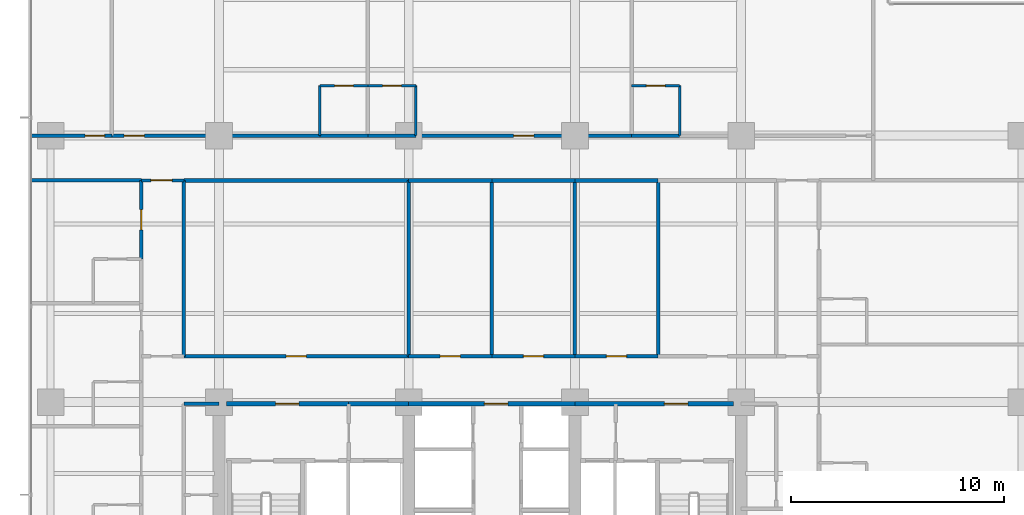
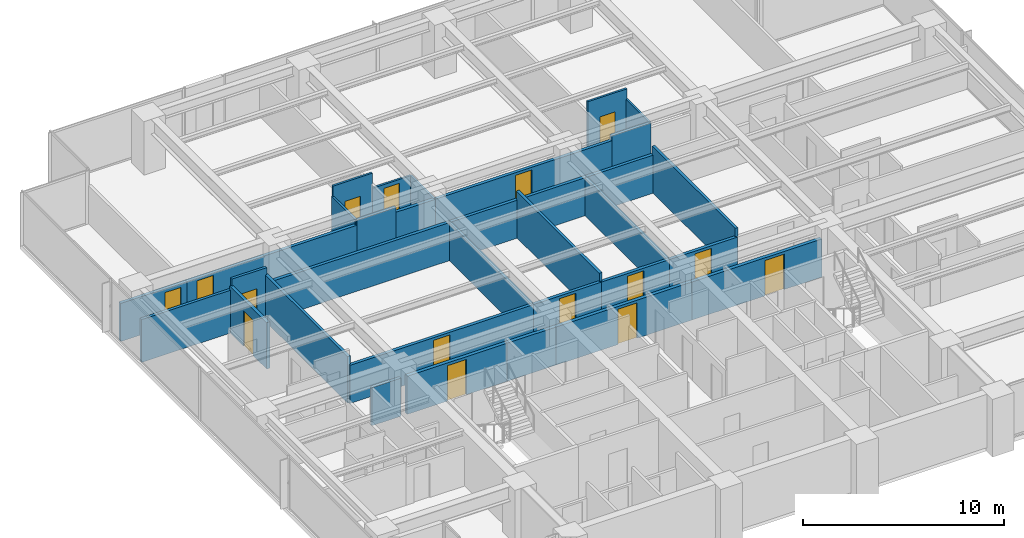
# One storey, part 10 of 17: 33 walls, 15 doors, 15 openings.
"""IFC4 building model written with IfcOpenShell, lengths in metres."""

from ifc_helpers import new_model, si_unit, direction, frame, frame_2d, origin, place, context, subcontext, project, spatial, rectangle, extrude, material, layer, layer_set, type_object, element, fill, save


model = new_model("IFC4")

# Units and contexts
model_context = context("Model", 3, precision=1e-05, world=origin(), true_north=direction((0.0, 1.0)))
body_context = subcontext(model_context, "Body", "Model", "MODEL_VIEW")
ifc_project = project(units=[si_unit("LENGTHUNIT", "METRE"), si_unit("AREAUNIT", "SQUARE_METRE"), si_unit("VOLUMEUNIT", "CUBIC_METRE"), si_unit("PLANEANGLEUNIT", "RADIAN"), si_unit("MASSUNIT", "GRAM", prefix="KILO")], contexts=[model_context])

# Site, building, storey
site_placement = place(None, origin())
site = spatial("IfcSite", under=ifc_project, at=site_placement, CompositionType="ELEMENT")
building_placement = place(site_placement, origin())
building = spatial("IfcBuilding", under=site, at=building_placement, Name="Qalmaran Belvedere Hotel", CompositionType="ELEMENT")
storey_placement = place(building_placement, frame((0.0, 0.0, 119.699951171875)))
storey = spatial("IfcBuildingStorey", under=building, at=storey_placement, Name="L30", CompositionType="ELEMENT", Elevation=119.699951171875)

# Wall, opening, door
ifc_material_1 = material(Name="Moisture-Resistant Gypsum")
ifc_layer_1 = layer(ifc_material_1, 0.1201171875, Name="Moisture-Resistant Gypsum")
ifc_layer_set_1 = layer_set([ifc_layer_1], Name="Moisture-Resistant Gypsum")
wall_type_1 = type_object("IfcWallType", Name="WL-INT-120-BATH", PredefinedType="PARTITIONING", material=ifc_layer_set_1)
wall_1_placement = place(storey_placement, frame((25.035400390625, 35.35009765625, 0.0), z_axis=(0.0, 0.0, 1.0), x_axis=(1.0, 0.0, 0.0)))
wall_1 = element("IfcWall", 1, at=wall_1_placement, inside=storey, type_object=wall_type_1, Name="L30 Partition WL-L30-NBN00", PredefinedType="PARTITIONING", context=body_context, shape_type="SweptSolid", body=[
    extrude(rectangle(XDim=2.25, YDim=0.1201171875, at=frame_2d((1.125, 0.0))), origin(), (0.0, 0.0, 1.0), 3.239990234375),
])
opening_1_placement = place(wall_1_placement, frame((1.56494140625, 0.0, 0.0), z_axis=(0.0, 0.0, 1.0), x_axis=(-1.0, 0.0, 0.0)))
opening_1 = element("IfcOpeningElement", 2, at=opening_1_placement, cuts=wall_1, Name="Opening D-BATH", PredefinedType="OPENING", context=body_context, shape_type="SweptSolid", body=[
    extrude(rectangle(XDim=0.8798828125, YDim=2.080078125, at=frame_2d((0.43994140625, 1.0400390625))), frame((0.0, 0.070068359375, 0.0), z_axis=(0.0, -1.0, 0.0), x_axis=(1.0, 0.0, 0.0)), (0.0, 0.0, 1.0), 0.14013671875),
])
ifc_material_2 = material(Name="Engineered Oak Veneer")
door_type_1 = type_object("IfcDoorType", Name="DR-INT-BATH-880X2080", OperationType="NOTDEFINED", PredefinedType="DOOR", material=ifc_material_2)
door_1_placement = place(opening_1_placement, origin())
door_1 = element("IfcDoor", 3, at=door_1_placement, inside=storey, type_object=door_type_1, Name="L30 Ensuite Bathroom Door N01", OperationType="SINGLE_SWING_LEFT", OverallHeight=2.080078125, OverallWidth=0.8798828125, PredefinedType="DOOR", context=body_context, shape_type="SweptSolid", body=[
    extrude(rectangle(XDim=0.8798828125, YDim=2.080078125, at=frame_2d((0.43994140625, 1.0400390625))), frame((0.0, 0.02490234375, 0.0), z_axis=(0.0, -1.0, 0.0), x_axis=(1.0, 0.0, 0.0)), (0.0, 0.0, 1.0), 0.050048828125),
])
fill(opening_1, door_1)

# Wall
wall_2_placement = place(storey_placement, frame((25.035400390625, 33.0, 0.0), z_axis=(0.0, 0.0, 1.0), x_axis=(0.0, 1.0, 0.0)))
element("IfcWall", 4, at=wall_2_placement, inside=storey, type_object=wall_type_1, Name="L30 Partition WL-L30-NBS00", PredefinedType="PARTITIONING", context=body_context, shape_type="SweptSolid", body=[
    extrude(rectangle(XDim=2.35009765625, YDim=0.1201171875, at=frame_2d((1.175048828125, 0.0))), origin(), (0.0, 0.0, 1.0), 2.614013671875),
])

# Wall, opening, door
wall_3_placement = place(storey_placement, frame((27.285400390625, 35.35009765625, 0.0), z_axis=(0.0, 0.0, 1.0), x_axis=(1.0, 0.0, 0.0)))
wall_3 = element("IfcWall", 5, at=wall_3_placement, inside=storey, type_object=wall_type_1, Name="L30 Partition WL-L30-NBN01", PredefinedType="PARTITIONING", context=body_context, shape_type="SweptSolid", body=[
    extrude(rectangle(XDim=2.25, YDim=0.1201171875, at=frame_2d((1.125, 0.0))), origin(), (0.0, 0.0, 1.0), 2.31298828125),
])
opening_2_placement = place(wall_3_placement, frame((1.56494140625, 0.0, 0.0), z_axis=(0.0, 0.0, 1.0), x_axis=(-1.0, 0.0, 0.0)))
opening_2 = element("IfcOpeningElement", 6, at=opening_2_placement, cuts=wall_3, Name="Opening D-BATH", PredefinedType="OPENING", context=body_context, shape_type="SweptSolid", body=[
    extrude(rectangle(XDim=0.8798828125, YDim=2.080078125, at=frame_2d((0.43994140625, 1.0400390625))), frame((0.0, 0.070068359375, 0.0), z_axis=(0.0, -1.0, 0.0), x_axis=(1.0, 0.0, 0.0)), (0.0, 0.0, 1.0), 0.14013671875),
])
door_2_placement = place(opening_2_placement, origin())
door_2 = element("IfcDoor", 7, at=door_2_placement, inside=storey, type_object=door_type_1, Name="L30 Ensuite Bathroom Door N02", OperationType="SINGLE_SWING_LEFT", OverallHeight=2.080078125, OverallWidth=0.8798828125, PredefinedType="DOOR", context=body_context, shape_type="SweptSolid", body=[
    extrude(rectangle(XDim=0.8798828125, YDim=2.080078125, at=frame_2d((0.43994140625, 1.0400390625))), frame((0.0, 0.02490234375, 0.0), z_axis=(0.0, -1.0, 0.0), x_axis=(1.0, 0.0, 0.0)), (0.0, 0.0, 1.0), 0.050048828125),
])
fill(opening_2, door_2)

# Wall
wall_4_placement = place(storey_placement, frame((29.535400390625, 33.0, 0.0), z_axis=(0.0, 0.0, 1.0), x_axis=(0.0, 1.0, 0.0)))
element("IfcWall", 8, at=wall_4_placement, inside=storey, type_object=wall_type_1, Name="L30 Partition WL-L30-NBS01", PredefinedType="PARTITIONING", context=body_context, shape_type="SweptSolid", body=[
    extrude(rectangle(XDim=2.35009765625, YDim=0.1201171875, at=frame_2d((1.175048828125, 0.0))), origin(), (0.0, 0.0, 1.0), 2.31298828125),
])

# Wall, opening, door
wall_5_placement = place(storey_placement, frame((39.664794921875, 35.35009765625, 0.0), z_axis=(0.0, 0.0, 1.0), x_axis=(1.0, 0.0, 0.0)))
wall_5 = element("IfcWall", 9, at=wall_5_placement, inside=storey, type_object=wall_type_1, Name="L30 Partition WL-L30-NBN02", PredefinedType="PARTITIONING", context=body_context, shape_type="SweptSolid", body=[
    extrude(rectangle(XDim=2.25, YDim=0.1201171875, at=frame_2d((1.125, 0.0))), origin(), (0.0, 0.0, 1.0), 3.239990234375),
])
opening_3_placement = place(wall_5_placement, frame((1.56494140625, 0.0, 0.0), z_axis=(0.0, 0.0, 1.0), x_axis=(-1.0, 0.0, 0.0)))
opening_3 = element("IfcOpeningElement", 10, at=opening_3_placement, cuts=wall_5, Name="Opening D-BATH", PredefinedType="OPENING", context=body_context, shape_type="SweptSolid", body=[
    extrude(rectangle(XDim=0.8798828125, YDim=2.080078125, at=frame_2d((0.43994140625, 1.0400390625))), frame((0.0, 0.070068359375, 0.0), z_axis=(0.0, -1.0, 0.0), x_axis=(1.0, 0.0, 0.0)), (0.0, 0.0, 1.0), 0.14013671875),
])
door_3_placement = place(opening_3_placement, origin())
door_3 = element("IfcDoor", 11, at=door_3_placement, inside=storey, type_object=door_type_1, Name="L30 Ensuite Bathroom Door N03", OperationType="SINGLE_SWING_LEFT", OverallHeight=2.080078125, OverallWidth=0.8798828125, PredefinedType="DOOR", context=body_context, shape_type="SweptSolid", body=[
    extrude(rectangle(XDim=0.8798828125, YDim=2.080078125, at=frame_2d((0.43994140625, 1.0400390625))), frame((0.0, 0.02490234375, 0.0), z_axis=(0.0, -1.0, 0.0), x_axis=(1.0, 0.0, 0.0)), (0.0, 0.0, 1.0), 0.050048828125),
])
fill(opening_3, door_3)

# Wall
wall_6_placement = place(storey_placement, frame((41.914794921875, 33.0, 0.0), z_axis=(0.0, 0.0, 1.0), x_axis=(0.0, 1.0, 0.0)))
element("IfcWall", 12, at=wall_6_placement, inside=storey, type_object=wall_type_1, Name="L30 Partition WL-L30-NBS02", PredefinedType="PARTITIONING", context=body_context, shape_type="SweptSolid", body=[
    extrude(rectangle(XDim=2.35009765625, YDim=0.1201171875, at=frame_2d((1.175048828125, 0.0))), origin(), (0.0, 0.0, 1.0), 2.614013671875),
])

# Wall, opening, door
ifc_material_3 = material(Name="Gypsum Stud Partition")
ifc_layer_2 = layer(ifc_material_3, 0.14990234375, Name="Gypsum Stud Partition")
ifc_layer_set_2 = layer_set([ifc_layer_2], Name="Gypsum Stud Partition")
wall_type_2 = type_object("IfcWallType", Name="WL-INT-150-EI60", PredefinedType="PARTITIONING", material=ifc_layer_set_2)
wall_7_placement = place(storey_placement, frame((16.64990234375, 30.89990234375, 0.0), z_axis=(0.0, 0.0, 1.0), x_axis=(1.0, 0.0, 0.0)))
wall_7 = element("IfcWall", 13, at=wall_7_placement, inside=storey, type_object=wall_type_2, Name="L30 Partition WL-L30-XCW2", PredefinedType="PARTITIONING", context=body_context, shape_type="SweptSolid", body=[
    extrude(rectangle(XDim=2.0, YDim=0.14990234375, at=frame_2d((1.0, 0.0))), origin(), (0.0, 0.0, 1.0), 3.239990234375),
])
opening_4_placement = place(wall_7_placement, frame((0.449951171875, 0.0, 0.0)))
opening_4 = element("IfcOpeningElement", 14, at=opening_4_placement, cuts=wall_7, Name="Opening FD90B", PredefinedType="OPENING", context=body_context, shape_type="SweptSolid", body=[
    extrude(rectangle(XDim=1.0, YDim=2.14990234375, at=frame_2d((0.5, 1.074951171875))), frame((0.0, 0.0849609375, 0.0), z_axis=(0.0, -1.0, 0.0), x_axis=(1.0, 0.0, 0.0)), (0.0, 0.0, 1.0), 0.169921875),
])
ifc_material_4 = material(Name="Steel S355JR", Category="steel")
door_type_2 = type_object("IfcDoorType", Name="DR-FD90B-1000X2150", OperationType="NOTDEFINED", PredefinedType="DOOR", material=ifc_material_4)
door_4_placement = place(opening_4_placement, origin())
door_4 = element("IfcDoor", 15, at=door_4_placement, inside=storey, type_object=door_type_2, Name="L30 West Corridor Smoke Door N", OperationType="SINGLE_SWING_LEFT", OverallHeight=2.14990234375, OverallWidth=1.0, PredefinedType="DOOR", context=body_context, shape_type="SweptSolid", body=[
    extrude(rectangle(XDim=1.0, YDim=2.14990234375, at=frame_2d((0.5, 1.074951171875))), frame((0.0, 0.02490234375, 0.0), z_axis=(0.0, -1.0, 0.0), x_axis=(1.0, 0.0, 0.0)), (0.0, 0.0, 1.0), 0.050048828125),
])
fill(opening_4, door_4)

# Walls
ifc_layer_3 = layer(ifc_material_3, 0.159912109375, Name="Gypsum Stud Partition")
ifc_layer_set_3 = layer_set([ifc_layer_3], Name="Gypsum Stud Partition")
wall_type_3 = type_object("IfcWallType", Name="WL-INT-160-EI60", PredefinedType="PARTITIONING", material=ifc_layer_set_3)
wall_8_placement = place(storey_placement, frame((18.64990234375, 20.419921875, 0.0), z_axis=(0.0, 0.0, 1.0), x_axis=(1.0, 0.0, 0.0)))
element("IfcWall", 16, at=wall_8_placement, inside=storey, type_object=wall_type_3, Name="L30 Partition WL-L30-WCLN", PredefinedType="PARTITIONING", context=body_context, shape_type="SweptSolid", body=[
    extrude(rectangle(XDim=1.650146484375, YDim=0.159912109375, at=frame_2d((0.8251953125, 0.0))), origin(), (0.0, 0.0, 1.0), 2.31298828125),
])
wall_9_placement = place(storey_placement, frame((18.64990234375, 22.64990234375, 0.0), z_axis=(0.0, 0.0, 1.0), x_axis=(0.0, 1.0, 0.0)))
element("IfcWall", 17, at=wall_9_placement, inside=storey, type_object=wall_type_3, Name="L30 Partition WL-L30-MIDVL", PredefinedType="PARTITIONING", context=body_context, shape_type="SweptSolid", body=[
    extrude(rectangle(XDim=8.25, YDim=0.159912109375, at=frame_2d((4.125, 0.0))), origin(), (0.0, 0.0, 1.0), 2.818115234375),
])
wall_10_placement = place(storey_placement, frame((29.199951171875, 22.64990234375, 0.0), z_axis=(0.0, 0.0, 1.0), x_axis=(0.0, 1.0, 0.0)))
element("IfcWall", 18, at=wall_10_placement, inside=storey, type_object=wall_type_3, Name="L30 Partition WL-L30-MIDVR1", PredefinedType="PARTITIONING", context=body_context, shape_type="SweptSolid", body=[
    extrude(rectangle(XDim=8.25, YDim=0.159912109375, at=frame_2d((4.125, 0.0))), origin(), (0.0, 0.0, 1.0), 2.31298828125),
])
wall_11_placement = place(storey_placement, frame((33.10009765625, 22.64990234375, 0.0), z_axis=(0.0, 0.0, 1.0), x_axis=(0.0, 1.0, 0.0)))
element("IfcWall", 19, at=wall_11_placement, inside=storey, type_object=wall_type_3, Name="L30 Partition WL-L30-MIDVR2", PredefinedType="PARTITIONING", context=body_context, shape_type="SweptSolid", body=[
    extrude(rectangle(XDim=8.25, YDim=0.159912109375, at=frame_2d((4.125, 0.0))), origin(), (0.0, 0.0, 1.0), 2.818115234375),
])
wall_12_placement = place(storey_placement, frame((37.0, 22.64990234375, 0.0), z_axis=(0.0, 0.0, 1.0), x_axis=(0.0, 1.0, 0.0)))
element("IfcWall", 20, at=wall_12_placement, inside=storey, type_object=wall_type_3, Name="L30 Partition WL-L30-MIDVR3", PredefinedType="PARTITIONING", context=body_context, shape_type="SweptSolid", body=[
    extrude(rectangle(XDim=8.25, YDim=0.159912109375, at=frame_2d((4.125, 0.0))), origin(), (0.0, 0.0, 1.0), 2.31298828125),
])
wall_13_placement = place(storey_placement, frame((40.89990234375, 22.64990234375, 0.0), z_axis=(0.0, 0.0, 1.0), x_axis=(0.0, 1.0, 0.0)))
element("IfcWall", 21, at=wall_13_placement, inside=storey, type_object=wall_type_3, Name="L30 Partition WL-L30-MIDVR4", PredefinedType="PARTITIONING", context=body_context, shape_type="SweptSolid", body=[
    extrude(rectangle(XDim=8.25, YDim=0.159912109375, at=frame_2d((4.125, 0.0))), origin(), (0.0, 0.0, 1.0), 2.818115234375),
])
wall_14_placement = place(storey_placement, frame((11.469970703125, 30.89990234375, 0.0), z_axis=(0.0, 0.0, 1.0), x_axis=(1.0, 0.0, 0.0)))
element("IfcWall", 22, at=wall_14_placement, inside=storey, type_object=wall_type_3, Name="L30 Partition WL-L30-WU02", PredefinedType="PARTITIONING", context=body_context, shape_type="SweptSolid", body=[
    extrude(rectangle(XDim=5.179931640625, YDim=0.159912109375, at=frame_2d((2.58984375, 0.0))), origin(), (0.0, 0.0, 1.0), 2.60302734375),
])

# Wall, opening, door
ifc_layer_4 = layer(ifc_material_3, 0.179931640625, Name="Gypsum Stud Partition")
ifc_layer_set_4 = layer_set([ifc_layer_4], Name="Gypsum Stud Partition")
wall_type_4 = type_object("IfcWallType", Name="WL-INT-180-EI60", PredefinedType="PARTITIONING", material=ifc_layer_set_4)
wall_15_placement = place(storey_placement, frame((18.64990234375, 22.64990234375, 0.0), z_axis=(0.0, 0.0, 1.0), x_axis=(1.0, 0.0, 0.0)))
wall_15 = element("IfcWall", 23, at=wall_15_placement, inside=storey, type_object=wall_type_4, Name="L30 Partition WL-L30-MIDD1", PredefinedType="PARTITIONING", context=body_context, shape_type="SweptSolid", body=[
    extrude(rectangle(XDim=10.550048828125, YDim=0.179931640625, at=frame_2d((5.27490234375, 0.0))), origin(), (0.0, 0.0, 1.0), 2.31298828125),
])
opening_5_placement = place(wall_15_placement, frame((4.800048828125, 0.0, 0.0)))
opening_5 = element("IfcOpeningElement", 24, at=opening_5_placement, cuts=wall_15, Name="Opening FD60", PredefinedType="OPENING", context=body_context, shape_type="SweptSolid", body=[
    extrude(rectangle(XDim=0.949951171875, YDim=2.14990234375, at=frame_2d((0.47509765625, 1.074951171875))), frame((0.0, 0.10009765625, 0.0), z_axis=(0.0, -1.0, 0.0), x_axis=(1.0, 0.0, 0.0)), (0.0, 0.0, 1.0), 0.199951171875),
])
door_type_3 = type_object("IfcDoorType", Name="DR-FD60-950X2150", OperationType="NOTDEFINED", PredefinedType="DOOR", material=ifc_material_2)
door_5_placement = place(opening_5_placement, origin())
door_5 = element("IfcDoor", 25, at=door_5_placement, inside=storey, type_object=door_type_3, Name="L30 Housekeeping and Linen Room Door", OperationType="SINGLE_SWING_RIGHT", OverallHeight=2.14990234375, OverallWidth=0.949951171875, PredefinedType="DOOR", context=body_context, shape_type="SweptSolid", body=[
    extrude(rectangle(XDim=0.949951171875, YDim=2.14990234375, at=frame_2d((0.47509765625, 1.074951171875))), frame((0.0, 0.02490234375, 0.0), z_axis=(0.0, -1.0, 0.0), x_axis=(1.0, 0.0, 0.0)), (0.0, 0.0, 1.0), 0.050048828125),
])
fill(opening_5, door_5)

# Wall
wall_16_placement = place(storey_placement, frame((18.64990234375, 30.89990234375, 0.0), z_axis=(0.0, 0.0, 1.0), x_axis=(1.0, 0.0, 0.0)))
element("IfcWall", 26, at=wall_16_placement, inside=storey, type_object=wall_type_4, Name="L30 Partition WL-L30-MIDO1", PredefinedType="PARTITIONING", context=body_context, shape_type="SweptSolid", body=[
    extrude(rectangle(XDim=10.550048828125, YDim=0.179931640625, at=frame_2d((5.27490234375, 0.0))), origin(), (0.0, 0.0, 1.0), 2.31298828125),
])

# Wall, opening, door
wall_17_placement = place(storey_placement, frame((29.199951171875, 22.64990234375, 0.0), z_axis=(0.0, 0.0, 1.0), x_axis=(1.0, 0.0, 0.0)))
wall_17 = element("IfcWall", 27, at=wall_17_placement, inside=storey, type_object=wall_type_4, Name="L30 Partition WL-L30-MIDD2", PredefinedType="PARTITIONING", context=body_context, shape_type="SweptSolid", body=[
    extrude(rectangle(XDim=3.900146484375, YDim=0.179931640625, at=frame_2d((1.9501953125, 0.0))), origin(), (0.0, 0.0, 1.0), 2.31298828125),
])
opening_6_placement = place(wall_17_placement, frame((1.47509765625, 0.0, 0.0)))
opening_6 = element("IfcOpeningElement", 28, at=opening_6_placement, cuts=wall_17, Name="Opening FD60", PredefinedType="OPENING", context=body_context, shape_type="SweptSolid", body=[
    extrude(rectangle(XDim=0.949951171875, YDim=2.14990234375, at=frame_2d((0.47509765625, 1.074951171875))), frame((0.0, 0.10009765625, 0.0), z_axis=(0.0, -1.0, 0.0), x_axis=(1.0, 0.0, 0.0)), (0.0, 0.0, 1.0), 0.199951171875),
])
door_6_placement = place(opening_6_placement, origin())
door_6 = element("IfcDoor", 29, at=door_6_placement, inside=storey, type_object=door_type_3, Name="L30 Drawing Lounge Door", OperationType="SINGLE_SWING_LEFT", OverallHeight=2.14990234375, OverallWidth=0.949951171875, PredefinedType="DOOR", context=body_context, shape_type="SweptSolid", body=[
    extrude(rectangle(XDim=0.949951171875, YDim=2.14990234375, at=frame_2d((0.47509765625, 1.074951171875))), frame((0.0, 0.02490234375, 0.0), z_axis=(0.0, -1.0, 0.0), x_axis=(1.0, 0.0, 0.0)), (0.0, 0.0, 1.0), 0.050048828125),
])
fill(opening_6, door_6)

# Wall
wall_18_placement = place(storey_placement, frame((29.199951171875, 30.89990234375, 0.0), z_axis=(0.0, 0.0, 1.0), x_axis=(1.0, 0.0, 0.0)))
element("IfcWall", 30, at=wall_18_placement, inside=storey, type_object=wall_type_4, Name="L30 Partition WL-L30-MIDO2", PredefinedType="PARTITIONING", context=body_context, shape_type="SweptSolid", body=[
    extrude(rectangle(XDim=3.900146484375, YDim=0.179931640625, at=frame_2d((1.9501953125, 0.0))), origin(), (0.0, 0.0, 1.0), 2.31298828125),
])

# Wall, opening, door
wall_19_placement = place(storey_placement, frame((33.10009765625, 22.64990234375, 0.0), z_axis=(0.0, 0.0, 1.0), x_axis=(1.0, 0.0, 0.0)))
wall_19 = element("IfcWall", 31, at=wall_19_placement, inside=storey, type_object=wall_type_4, Name="L30 Partition WL-L30-MIDD3", PredefinedType="PARTITIONING", context=body_context, shape_type="SweptSolid", body=[
    extrude(rectangle(XDim=3.89990234375, YDim=0.179931640625, at=frame_2d((1.949951171875, 0.0))), origin(), (0.0, 0.0, 1.0), 2.31298828125),
])
opening_7_placement = place(wall_19_placement, frame((1.47509765625, 0.0, 0.0)))
opening_7 = element("IfcOpeningElement", 32, at=opening_7_placement, cuts=wall_19, Name="Opening FD60", PredefinedType="OPENING", context=body_context, shape_type="SweptSolid", body=[
    extrude(rectangle(XDim=0.949951171875, YDim=2.14990234375, at=frame_2d((0.47509765625, 1.074951171875))), frame((0.0, 0.10009765625, 0.0), z_axis=(0.0, -1.0, 0.0), x_axis=(1.0, 0.0, 0.0)), (0.0, 0.0, 1.0), 0.199951171875),
])
door_7_placement = place(opening_7_placement, origin())
door_7 = element("IfcDoor", 33, at=door_7_placement, inside=storey, type_object=door_type_3, Name="L30 Sitting Lounge Door", OperationType="SINGLE_SWING_RIGHT", OverallHeight=2.14990234375, OverallWidth=0.949951171875, PredefinedType="DOOR", context=body_context, shape_type="SweptSolid", body=[
    extrude(rectangle(XDim=0.949951171875, YDim=2.14990234375, at=frame_2d((0.47509765625, 1.074951171875))), frame((0.0, 0.02490234375, 0.0), z_axis=(0.0, -1.0, 0.0), x_axis=(1.0, 0.0, 0.0)), (0.0, 0.0, 1.0), 0.050048828125),
])
fill(opening_7, door_7)

# Wall
wall_20_placement = place(storey_placement, frame((33.10009765625, 30.89990234375, 0.0), z_axis=(0.0, 0.0, 1.0), x_axis=(1.0, 0.0, 0.0)))
element("IfcWall", 34, at=wall_20_placement, inside=storey, type_object=wall_type_4, Name="L30 Partition WL-L30-MIDO3", PredefinedType="PARTITIONING", context=body_context, shape_type="SweptSolid", body=[
    extrude(rectangle(XDim=3.89990234375, YDim=0.179931640625, at=frame_2d((1.949951171875, 0.0))), origin(), (0.0, 0.0, 1.0), 2.31298828125),
])

# Wall, opening, door
wall_21_placement = place(storey_placement, frame((37.0, 22.64990234375, 0.0), z_axis=(0.0, 0.0, 1.0), x_axis=(1.0, 0.0, 0.0)))
wall_21 = element("IfcWall", 35, at=wall_21_placement, inside=storey, type_object=wall_type_4, Name="L30 Partition WL-L30-MIDD4", PredefinedType="PARTITIONING", context=body_context, shape_type="SweptSolid", body=[
    extrude(rectangle(XDim=3.89990234375, YDim=0.179931640625, at=frame_2d((1.949951171875, 0.0))), origin(), (0.0, 0.0, 1.0), 2.31298828125),
])
opening_8_placement = place(wall_21_placement, frame((1.47509765625, 0.0, 0.0)))
opening_8 = element("IfcOpeningElement", 36, at=opening_8_placement, cuts=wall_21, Name="Opening FD60", PredefinedType="OPENING", context=body_context, shape_type="SweptSolid", body=[
    extrude(rectangle(XDim=0.949951171875, YDim=2.14990234375, at=frame_2d((0.47509765625, 1.074951171875))), frame((0.0, 0.10009765625, 0.0), z_axis=(0.0, -1.0, 0.0), x_axis=(1.0, 0.0, 0.0)), (0.0, 0.0, 1.0), 0.199951171875),
])
door_8_placement = place(opening_8_placement, origin())
door_8 = element("IfcDoor", 37, at=door_8_placement, inside=storey, type_object=door_type_3, Name="L30 Family Lounge Door", OperationType="SINGLE_SWING_LEFT", OverallHeight=2.14990234375, OverallWidth=0.949951171875, PredefinedType="DOOR", context=body_context, shape_type="SweptSolid", body=[
    extrude(rectangle(XDim=0.949951171875, YDim=2.14990234375, at=frame_2d((0.47509765625, 1.074951171875))), frame((0.0, 0.02490234375, 0.0), z_axis=(0.0, -1.0, 0.0), x_axis=(1.0, 0.0, 0.0)), (0.0, 0.0, 1.0), 0.050048828125),
])
fill(opening_8, door_8)

# Walls
wall_22_placement = place(storey_placement, frame((37.0, 30.89990234375, 0.0), z_axis=(0.0, 0.0, 1.0), x_axis=(1.0, 0.0, 0.0)))
element("IfcWall", 38, at=wall_22_placement, inside=storey, type_object=wall_type_4, Name="L30 Partition WL-L30-MIDO4", PredefinedType="PARTITIONING", context=body_context, shape_type="SweptSolid", body=[
    extrude(rectangle(XDim=3.89990234375, YDim=0.179931640625, at=frame_2d((1.949951171875, 0.0))), origin(), (0.0, 0.0, 1.0), 2.31298828125),
])
wall_23_placement = place(storey_placement, frame((25.035400390625, 33.0, 0.0), z_axis=(0.0, 0.0, 1.0), x_axis=(1.0, 0.0, 0.0)))
element("IfcWall", 39, at=wall_23_placement, inside=storey, type_object=wall_type_4, Name="L30 Partition WL-L30-NBC00", PredefinedType="PARTITIONING", context=body_context, shape_type="SweptSolid", body=[
    extrude(rectangle(XDim=2.25, YDim=0.179931640625, at=frame_2d((1.125, 0.0))), origin(), (0.0, 0.0, 1.0), 2.614013671875),
])

# Wall, opening, door
wall_24_placement = place(storey_placement, frame((15.27001953125, 33.0, 0.0), z_axis=(0.0, 0.0, 1.0), x_axis=(1.0, 0.0, 0.0)))
wall_24 = element("IfcWall", 40, at=wall_24_placement, inside=storey, type_object=wall_type_4, Name="L30 Partition WL-L30-NEC00", PredefinedType="PARTITIONING", context=body_context, shape_type="SweptSolid", body=[
    extrude(rectangle(XDim=9.765380859375, YDim=0.179931640625, at=frame_2d((4.8828125, 0.0))), origin(), (0.0, 0.0, 1.0), 2.31298828125),
])
opening_9_placement = place(wall_24_placement, frame((0.578857421875, 0.0, 0.0)))
opening_9 = element("IfcOpeningElement", 41, at=opening_9_placement, cuts=wall_24, Name="Opening FD60", PredefinedType="OPENING", context=body_context, shape_type="SweptSolid", body=[
    extrude(rectangle(XDim=0.949951171875, YDim=2.14990234375, at=frame_2d((0.47509765625, 1.074951171875))), frame((0.0, 0.10009765625, 0.0), z_axis=(0.0, -1.0, 0.0), x_axis=(1.0, 0.0, 0.0)), (0.0, 0.0, 1.0), 0.199951171875),
])
door_9_placement = place(opening_9_placement, origin())
door_9 = element("IfcDoor", 42, at=door_9_placement, inside=storey, type_object=door_type_3, Name="L30 Guest Entrance Door N01", OperationType="SINGLE_SWING_RIGHT", OverallHeight=2.14990234375, OverallWidth=0.949951171875, PredefinedType="DOOR", context=body_context, shape_type="SweptSolid", body=[
    extrude(rectangle(XDim=0.949951171875, YDim=2.14990234375, at=frame_2d((0.47509765625, 1.074951171875))), frame((0.0, 0.02490234375, 0.0), z_axis=(0.0, -1.0, 0.0), x_axis=(1.0, 0.0, 0.0)), (0.0, 0.0, 1.0), 0.050048828125),
])
fill(opening_9, door_9)

# Wall
wall_25_placement = place(storey_placement, frame((27.285400390625, 33.0, 0.0), z_axis=(0.0, 0.0, 1.0), x_axis=(1.0, 0.0, 0.0)))
element("IfcWall", 43, at=wall_25_placement, inside=storey, type_object=wall_type_4, Name="L30 Partition WL-L30-NBC01", PredefinedType="PARTITIONING", context=body_context, shape_type="SweptSolid", body=[
    extrude(rectangle(XDim=2.25, YDim=0.179931640625, at=frame_2d((1.125, 0.0))), origin(), (0.0, 0.0, 1.0), 2.31298828125),
])

# Wall, opening, door
wall_26_placement = place(storey_placement, frame((29.535400390625, 33.0, 0.0), z_axis=(0.0, 0.0, 1.0), x_axis=(1.0, 0.0, 0.0)))
wall_26 = element("IfcWall", 44, at=wall_26_placement, inside=storey, type_object=wall_type_4, Name="L30 Partition WL-L30-NEC01", PredefinedType="PARTITIONING", context=body_context, shape_type="SweptSolid", body=[
    extrude(rectangle(XDim=10.12939453125, YDim=0.179931640625, at=frame_2d((5.064697265625, 0.0))), origin(), (0.0, 0.0, 1.0), 2.31298828125),
])
opening_10_placement = place(wall_26_placement, frame((4.589599609375, 0.0, 0.0)))
opening_10 = element("IfcOpeningElement", 45, at=opening_10_placement, cuts=wall_26, Name="Opening FD60", PredefinedType="OPENING", context=body_context, shape_type="SweptSolid", body=[
    extrude(rectangle(XDim=0.949951171875, YDim=2.14990234375, at=frame_2d((0.47509765625, 1.074951171875))), frame((0.0, 0.10009765625, 0.0), z_axis=(0.0, -1.0, 0.0), x_axis=(1.0, 0.0, 0.0)), (0.0, 0.0, 1.0), 0.199951171875),
])
door_10_placement = place(opening_10_placement, origin())
door_10 = element("IfcDoor", 46, at=door_10_placement, inside=storey, type_object=door_type_3, Name="L30 Guest Entrance Door N02", OperationType="SINGLE_SWING_RIGHT", OverallHeight=2.14990234375, OverallWidth=0.949951171875, PredefinedType="DOOR", context=body_context, shape_type="SweptSolid", body=[
    extrude(rectangle(XDim=0.949951171875, YDim=2.14990234375, at=frame_2d((0.47509765625, 1.074951171875))), frame((0.0, 0.02490234375, 0.0), z_axis=(0.0, -1.0, 0.0), x_axis=(1.0, 0.0, 0.0)), (0.0, 0.0, 1.0), 0.050048828125),
])
fill(opening_10, door_10)

# Wall
wall_27_placement = place(storey_placement, frame((39.664794921875, 33.0, 0.0), z_axis=(0.0, 0.0, 1.0), x_axis=(1.0, 0.0, 0.0)))
element("IfcWall", 47, at=wall_27_placement, inside=storey, type_object=wall_type_4, Name="L30 Partition WL-L30-NBC02", PredefinedType="PARTITIONING", context=body_context, shape_type="SweptSolid", body=[
    extrude(rectangle(XDim=2.25, YDim=0.179931640625, at=frame_2d((1.125, 0.0))), origin(), (0.0, 0.0, 1.0), 2.614013671875),
])

# Wall, opening, door
wall_28_placement = place(storey_placement, frame((16.64990234375, 27.21337890625, 0.0), z_axis=(0.0, 0.0, 1.0), x_axis=(0.0, 1.0, 0.0)))
wall_28 = element("IfcWall", 48, at=wall_28_placement, inside=storey, type_object=wall_type_4, Name="L30 Partition WL-L30-WEC02", PredefinedType="PARTITIONING", context=body_context, shape_type="SweptSolid", body=[
    extrude(rectangle(XDim=3.6865234375, YDim=0.179931640625, at=frame_2d((1.84326171875, 0.0))), origin(), (0.0, 0.0, 1.0), 2.818115234375),
])
opening_11_placement = place(wall_28_placement, frame((1.368408203125, 0.0, 0.0)))
opening_11 = element("IfcOpeningElement", 49, at=opening_11_placement, cuts=wall_28, Name="Opening FD60", PredefinedType="OPENING", context=body_context, shape_type="SweptSolid", body=[
    extrude(rectangle(XDim=0.949951171875, YDim=2.14990234375, at=frame_2d((0.47509765625, 1.074951171875))), frame((0.0, 0.10009765625, 0.0), z_axis=(0.0, -1.0, 0.0), x_axis=(1.0, 0.0, 0.0)), (0.0, 0.0, 1.0), 0.199951171875),
])
door_11_placement = place(opening_11_placement, origin())
door_11 = element("IfcDoor", 50, at=door_11_placement, inside=storey, type_object=door_type_3, Name="L30 W Wing Door 03", OperationType="SINGLE_SWING_RIGHT", OverallHeight=2.14990234375, OverallWidth=0.949951171875, PredefinedType="DOOR", context=body_context, shape_type="SweptSolid", body=[
    extrude(rectangle(XDim=0.949951171875, YDim=2.14990234375, at=frame_2d((0.47509765625, 1.074951171875))), frame((0.0, 0.02490234375, 0.0), z_axis=(0.0, -1.0, 0.0), x_axis=(1.0, 0.0, 0.0)), (0.0, 0.0, 1.0), 0.050048828125),
])
fill(opening_11, door_11)

wall_29_placement = place(storey_placement, frame((11.469970703125, 33.0, 0.0), z_axis=(0.0, 0.0, 1.0), x_axis=(1.0, 0.0, 0.0)))
wall_29 = element("IfcWall", 51, at=wall_29_placement, inside=storey, type_object=wall_type_4, Name="L30 Partition WL-L30-NWSD", PredefinedType="PARTITIONING", context=body_context, shape_type="SweptSolid", body=[
    extrude(rectangle(XDim=3.800048828125, YDim=0.179931640625, at=frame_2d((1.89990234375, 0.0))), origin(), (0.0, 0.0, 1.0), 2.31298828125),
])
opening_12_placement = place(wall_29_placement, frame((2.543701171875, 0.0, 0.0)))
opening_12 = element("IfcOpeningElement", 52, at=opening_12_placement, cuts=wall_29, Name="Opening FD60S1", PredefinedType="OPENING", context=body_context, shape_type="SweptSolid", body=[
    extrude(rectangle(XDim=0.919921875, YDim=2.080078125, at=frame_2d((0.4599609375, 1.0400390625))), frame((0.0, 0.10009765625, 0.0), z_axis=(0.0, -1.0, 0.0), x_axis=(1.0, 0.0, 0.0)), (0.0, 0.0, 1.0), 0.199951171875),
])
door_type_4 = type_object("IfcDoorType", Name="DR-FD60S-920X2080", OperationType="NOTDEFINED", PredefinedType="DOOR", material=ifc_material_2)
door_12_placement = place(opening_12_placement, origin())
door_12 = element("IfcDoor", 53, at=door_12_placement, inside=storey, type_object=door_type_4, Name="L30 NW Belvedere Study Door", OperationType="SINGLE_SWING_LEFT", OverallHeight=2.080078125, OverallWidth=0.919921875, PredefinedType="DOOR", context=body_context, shape_type="SweptSolid", body=[
    extrude(rectangle(XDim=0.919921875, YDim=2.080078125, at=frame_2d((0.4599609375, 1.0400390625))), frame((0.0, 0.02490234375, 0.0), z_axis=(0.0, -1.0, 0.0), x_axis=(1.0, 0.0, 0.0)), (0.0, 0.0, 1.0), 0.050048828125),
])
fill(opening_12, door_12)

ifc_material_5 = material(Name="Concrete C30/37 Blockwork", Category="masonry")
ifc_layer_5 = layer(ifc_material_5, 0.199951171875, Name="Concrete C30/37 Blockwork")
ifc_layer_set_5 = layer_set([ifc_layer_5], Name="Concrete C30/37 Blockwork")
wall_type_5 = type_object("IfcWallType", Name="WL-INT-200-EI120", PredefinedType="PARTITIONING", material=ifc_layer_set_5)
wall_30_placement = place(storey_placement, frame((20.64990234375, 20.419921875, 0.0), z_axis=(0.0, 0.0, 1.0), x_axis=(1.0, 0.0, 0.0)))
wall_30 = element("IfcWall", 54, at=wall_30_placement, inside=storey, type_object=wall_type_5, Name="L30 Partition WL-CN1A-L30", PredefinedType="PARTITIONING", context=body_context, shape_type="SweptSolid", body=[
    extrude(rectangle(XDim=5.72998046875, YDim=0.199951171875, at=frame_2d((2.864990234375, 0.0))), origin(), (0.0, 0.0, 1.0), 2.31298828125),
])
opening_13_placement = place(wall_30_placement, frame((2.300048828125, 0.0, 0.0)))
opening_13 = element("IfcOpeningElement", 55, at=opening_13_placement, cuts=wall_30, Name="Opening FD90", PredefinedType="OPENING", context=body_context, shape_type="SweptSolid", body=[
    extrude(rectangle(XDim=1.10009765625, YDim=2.14990234375, at=frame_2d((0.550048828125, 1.074951171875))), frame((0.0, 0.10986328125, 0.0), z_axis=(0.0, -1.0, 0.0), x_axis=(1.0, 0.0, 0.0)), (0.0, 0.0, 1.0), 0.219970703125),
])
door_type_5 = type_object("IfcDoorType", Name="DR-FD90-1100X2150", OperationType="NOTDEFINED", PredefinedType="DOOR", material=ifc_material_4)
door_13_placement = place(opening_13_placement, origin())
door_13 = element("IfcDoor", 56, at=door_13_placement, inside=storey, type_object=door_type_5, Name="L30 FF1 Lobby Corridor Door", OperationType="SINGLE_SWING_RIGHT", OverallHeight=2.14990234375, OverallWidth=1.10009765625, PredefinedType="DOOR", context=body_context, shape_type="SweptSolid", body=[
    extrude(rectangle(XDim=1.10009765625, YDim=2.14990234375, at=frame_2d((0.550048828125, 1.074951171875))), frame((0.0, 0.02490234375, 0.0), z_axis=(0.0, -1.0, 0.0), x_axis=(1.0, 0.0, 0.0)), (0.0, 0.0, 1.0), 0.050048828125),
])
fill(opening_13, door_13)

# Wall
wall_31_placement = place(storey_placement, frame((26.3798828125, 20.419921875, 0.0), z_axis=(0.0, 0.0, 1.0), x_axis=(1.0, 0.0, 0.0)))
element("IfcWall", 57, at=wall_31_placement, inside=storey, type_object=wall_type_5, Name="L30 Partition WL-CN1B-L30", PredefinedType="PARTITIONING", context=body_context, shape_type="SweptSolid", body=[
    extrude(rectangle(XDim=2.820068359375, YDim=0.199951171875, at=frame_2d((1.41015625, 0.0))), origin(), (0.0, 0.0, 1.0), 2.31298828125),
])

# Wall, opening, door
wall_32_placement = place(storey_placement, frame((29.199951171875, 20.419921875, 0.0), z_axis=(0.0, 0.0, 1.0), x_axis=(1.0, 0.0, 0.0)))
wall_32 = element("IfcWall", 58, at=wall_32_placement, inside=storey, type_object=wall_type_5, Name="L30 Partition WL-CN2-L30", PredefinedType="PARTITIONING", context=body_context, shape_type="SweptSolid", body=[
    extrude(rectangle(XDim=7.800048828125, YDim=0.199951171875, at=frame_2d((3.89990234375, 0.0))), origin(), (0.0, 0.0, 1.0), 2.31298828125),
])
opening_14_placement = place(wall_32_placement, frame((3.550048828125, 0.0, 0.0)))
opening_14 = element("IfcOpeningElement", 59, at=opening_14_placement, cuts=wall_32, Name="Opening FD90", PredefinedType="OPENING", context=body_context, shape_type="SweptSolid", body=[
    extrude(rectangle(XDim=1.10009765625, YDim=2.14990234375, at=frame_2d((0.550048828125, 1.074951171875))), frame((0.0, 0.10986328125, 0.0), z_axis=(0.0, -1.0, 0.0), x_axis=(1.0, 0.0, 0.0)), (0.0, 0.0, 1.0), 0.219970703125),
])
door_14_placement = place(opening_14_placement, origin())
door_14 = element("IfcDoor", 60, at=door_14_placement, inside=storey, type_object=door_type_5, Name="L30 Central Lift Lobby Door", OperationType="SINGLE_SWING_LEFT", OverallHeight=2.14990234375, OverallWidth=1.10009765625, PredefinedType="DOOR", context=body_context, shape_type="SweptSolid", body=[
    extrude(rectangle(XDim=1.10009765625, YDim=2.14990234375, at=frame_2d((0.550048828125, 1.074951171875))), frame((0.0, 0.02490234375, 0.0), z_axis=(0.0, -1.0, 0.0), x_axis=(1.0, 0.0, 0.0)), (0.0, 0.0, 1.0), 0.050048828125),
])
fill(opening_14, door_14)

wall_33_placement = place(storey_placement, frame((37.0, 20.419921875, 0.0), z_axis=(0.0, 0.0, 1.0), x_axis=(1.0, 0.0, 0.0)))
wall_33 = element("IfcWall", 61, at=wall_33_placement, inside=storey, type_object=wall_type_5, Name="L30 Partition WL-CN3-L30", PredefinedType="PARTITIONING", context=body_context, shape_type="SweptSolid", body=[
    extrude(rectangle(XDim=7.449951171875, YDim=0.199951171875, at=frame_2d((3.72509765625, 0.0))), origin(), (0.0, 0.0, 1.0), 2.31298828125),
])
opening_15_placement = place(wall_33_placement, frame((4.199951171875, 0.0, 0.0)))
opening_15 = element("IfcOpeningElement", 62, at=opening_15_placement, cuts=wall_33, Name="Opening FD90", PredefinedType="OPENING", context=body_context, shape_type="SweptSolid", body=[
    extrude(rectangle(XDim=1.10009765625, YDim=2.14990234375, at=frame_2d((0.550048828125, 1.074951171875))), frame((0.0, 0.10986328125, 0.0), z_axis=(0.0, -1.0, 0.0), x_axis=(1.0, 0.0, 0.0)), (0.0, 0.0, 1.0), 0.219970703125),
])
door_15_placement = place(opening_15_placement, origin())
door_15 = element("IfcDoor", 63, at=door_15_placement, inside=storey, type_object=door_type_5, Name="L30 FF2 Lobby Corridor Door", OperationType="SINGLE_SWING_RIGHT", OverallHeight=2.14990234375, OverallWidth=1.10009765625, PredefinedType="DOOR", context=body_context, shape_type="SweptSolid", body=[
    extrude(rectangle(XDim=1.10009765625, YDim=2.14990234375, at=frame_2d((0.550048828125, 1.074951171875))), frame((0.0, 0.02490234375, 0.0), z_axis=(0.0, -1.0, 0.0), x_axis=(1.0, 0.0, 0.0)), (0.0, 0.0, 1.0), 0.050048828125),
])
fill(opening_15, door_15)

save(model, "model.ifc")
